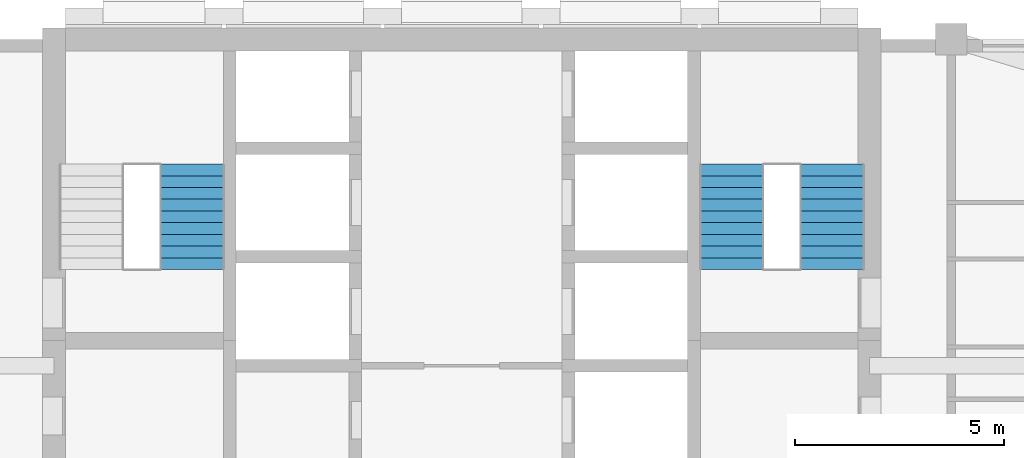
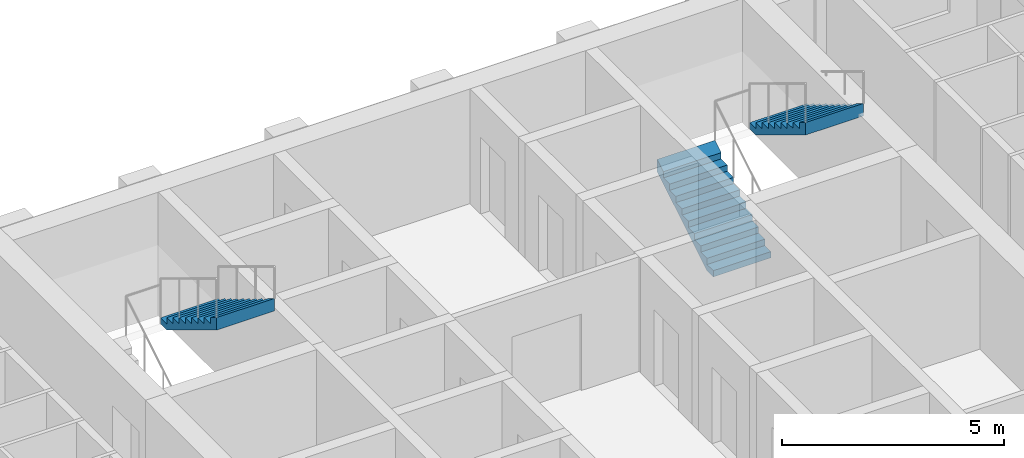
# One storey, part 11 of 13: 3 stair flights, 2 elements without a shape of their own.
"""IFC4 building model written with IfcOpenShell, lengths in metres."""

from ifc_helpers import new_model, si_unit, direction, frame, origin, place, context, subcontext, project, spatial, triangles, material, type_object, element, aggregate, save


model = new_model("IFC4")

# Units and contexts
model_context = context("Model", 3, precision=1e-05, world=origin(), true_north=direction((0.0, 1.0)))
body_context = subcontext(model_context, "Body", "Model", "MODEL_VIEW")
ifc_project = project(units=[si_unit("LENGTHUNIT", "METRE"), si_unit("AREAUNIT", "SQUARE_METRE"), si_unit("VOLUMEUNIT", "CUBIC_METRE"), si_unit("PLANEANGLEUNIT", "RADIAN"), si_unit("MASSUNIT", "GRAM", prefix="KILO")], contexts=[model_context])

# Site, building, storey
site_placement = place(None, origin())
site = spatial("IfcSite", under=ifc_project, at=site_placement, CompositionType="ELEMENT")
building_placement = place(site_placement, origin())
building = spatial("IfcBuilding", under=site, at=building_placement, Name="Ludao Terraces", CompositionType="ELEMENT")
storey_placement = place(building_placement, frame((0.0, 0.0, 152.0)))
storey = spatial("IfcBuildingStorey", under=building, at=storey_placement, Name="L41", CompositionType="ELEMENT", Elevation=152.0)

# Stair, stair flight
ifc_material = material(Name="Concrete C40", Category="concrete")
stair_type = type_object("IfcStairType", Name="INT Stair", PredefinedType="HALF_TURN_STAIR", material=ifc_material)
stair_1_placement = place(storey_placement, origin())
stair_1 = element("IfcStair", 1, at=stair_1_placement, inside=storey, type_object=stair_type, Name="EXIT STAIR 1", PredefinedType="HALF_TURN_STAIR")
stair_flight_type = type_object("IfcStairFlightType", Name="INT Stair flight", PredefinedType="STRAIGHT", material=ifc_material)
stair_flight_1_placement = place(storey_placement, frame((78.550048828125, 81.52001953125, 1.699951171875), z_axis=(0.0, 0.0, 1.0), x_axis=(0.0, -1.0, 0.0)))
stair_flight_1 = element("IfcStairFlight", 2, at=stair_flight_1_placement, type_object=stair_flight_type, Name="ST1 flight 2", NumberOfRisers=10, NumberOfTreads=9, PredefinedType="STRAIGHT", RiserHeight=0.17, TreadLength=0.28, context=body_context, shape_type="Tessellation", body=[
    triangles([(0.0, -0.75, 0.0), (0.0, -0.5, 0.0), (0.0, -0.25, 0.0), (0.0, 0.0, 0.0), (0.0, 0.25, 0.0), (0.0, 0.5, 0.0), (0.0, 0.75, 0.0), (0.0, -0.75, 0.169921875), (0.0, -0.5, 0.169921875), (0.0, -0.25, 0.169921875), (0.0, 0.0, 0.169921875), (0.0, 0.25, 0.169921875), (0.0, 0.5, 0.169921875), (0.0, 0.75, 0.169921875), (0.280029296875, -0.75, 0.169921875), (0.280029296875, -0.5, 0.169921875), (0.280029296875, -0.25, 0.169921875), (0.280029296875, 0.0, 0.169921875), (0.280029296875, 0.25, 0.169921875), (0.280029296875, 0.5, 0.169921875), (0.280029296875, 0.75, 0.169921875), (0.280029296875, -0.75, 0.340087890625), (0.280029296875, -0.5, 0.340087890625), (0.280029296875, -0.25, 0.340087890625), (0.280029296875, 0.0, 0.340087890625), (0.280029296875, 0.25, 0.340087890625), (0.280029296875, 0.5, 0.340087890625), (0.280029296875, 0.75, 0.340087890625), (0.56005859375, -0.75, 0.340087890625), (0.56005859375, -0.5, 0.340087890625), (0.56005859375, -0.25, 0.340087890625), (0.56005859375, 0.0, 0.340087890625), (0.56005859375, 0.25, 0.340087890625), (0.56005859375, 0.5, 0.340087890625), (0.56005859375, 0.75, 0.340087890625), (0.56005859375, -0.75, 0.510009765625), (0.56005859375, -0.5, 0.510009765625), (0.56005859375, -0.25, 0.510009765625), (0.56005859375, 0.0, 0.510009765625), (0.56005859375, 0.25, 0.510009765625), (0.56005859375, 0.5, 0.510009765625), (0.56005859375, 0.75, 0.510009765625), (0.840087890625, -0.75, 0.510009765625), (0.840087890625, -0.5, 0.510009765625), (0.840087890625, -0.25, 0.510009765625), (0.840087890625, 0.0, 0.510009765625), (0.840087890625, 0.25, 0.510009765625), (0.840087890625, 0.5, 0.510009765625), (0.840087890625, 0.75, 0.510009765625), (0.840087890625, -0.75, 0.679931640625), (0.840087890625, -0.5, 0.679931640625), (0.840087890625, -0.25, 0.679931640625), (0.840087890625, 0.0, 0.679931640625), (0.840087890625, 0.25, 0.679931640625), (0.840087890625, 0.5, 0.679931640625), (0.840087890625, 0.75, 0.679931640625), (1.1201171875, -0.75, 0.679931640625), (1.1201171875, -0.5, 0.679931640625), (1.1201171875, -0.25, 0.679931640625), (1.1201171875, 0.0, 0.679931640625), (1.1201171875, 0.25, 0.679931640625), (1.1201171875, 0.5, 0.679931640625), (1.1201171875, 0.75, 0.679931640625), (1.1201171875, -0.75, 0.85009765625), (1.1201171875, -0.5, 0.85009765625), (1.1201171875, -0.25, 0.85009765625), (1.1201171875, 0.0, 0.85009765625), (1.1201171875, 0.25, 0.85009765625), (1.1201171875, 0.5, 0.85009765625), (1.1201171875, 0.75, 0.85009765625), (1.39990234375, -0.75, 0.85009765625), (1.39990234375, -0.5, 0.85009765625), (1.39990234375, -0.25, 0.85009765625), (1.39990234375, 0.0, 0.85009765625), (1.39990234375, 0.25, 0.85009765625), (1.39990234375, 0.5, 0.85009765625), (1.39990234375, 0.75, 0.85009765625), (1.39990234375, -0.75, 1.02001953125), (1.39990234375, -0.5, 1.02001953125), (1.39990234375, -0.25, 1.02001953125), (1.39990234375, 0.0, 1.02001953125), (1.39990234375, 0.25, 1.02001953125), (1.39990234375, 0.5, 1.02001953125), (1.39990234375, 0.75, 1.02001953125), (1.679931640625, -0.75, 1.02001953125), (1.679931640625, -0.5, 1.02001953125), (1.679931640625, -0.25, 1.02001953125), (1.679931640625, 0.0, 1.02001953125), (1.679931640625, 0.25, 1.02001953125), (1.679931640625, 0.5, 1.02001953125), (1.679931640625, 0.75, 1.02001953125), (1.679931640625, -0.75, 1.18994140625), (1.679931640625, -0.5, 1.18994140625), (1.679931640625, -0.25, 1.18994140625), (1.679931640625, 0.0, 1.18994140625), (1.679931640625, 0.25, 1.18994140625), (1.679931640625, 0.5, 1.18994140625), (1.679931640625, 0.75, 1.18994140625), (1.9599609375, -0.75, 1.18994140625), (1.9599609375, -0.5, 1.18994140625), (1.9599609375, -0.25, 1.18994140625), (1.9599609375, 0.0, 1.18994140625), (1.9599609375, 0.25, 1.18994140625), (1.9599609375, 0.5, 1.18994140625), (1.9599609375, 0.75, 1.18994140625), (1.9599609375, -0.75, 1.360107421875), (1.9599609375, -0.5, 1.360107421875), (1.9599609375, -0.25, 1.360107421875), (1.9599609375, 0.0, 1.360107421875), (1.9599609375, 0.25, 1.360107421875), (1.9599609375, 0.5, 1.360107421875), (1.9599609375, 0.75, 1.360107421875), (2.239990234375, -0.75, 1.360107421875), (2.239990234375, -0.5, 1.360107421875), (2.239990234375, -0.25, 1.360107421875), (2.239990234375, 0.0, 1.360107421875), (2.239990234375, 0.25, 1.360107421875), (2.239990234375, 0.5, 1.360107421875), (2.239990234375, 0.75, 1.360107421875), (2.239990234375, -0.75, 1.530029296875), (2.239990234375, -0.5, 1.530029296875), (2.239990234375, -0.25, 1.530029296875), (2.239990234375, 0.0, 1.530029296875), (2.239990234375, 0.25, 1.530029296875), (2.239990234375, 0.5, 1.530029296875), (2.239990234375, 0.75, 1.530029296875), (2.52001953125, -0.75, 1.699951171875), (2.52001953125, -0.5, 1.699951171875), (2.52001953125, -0.25, 1.699951171875), (2.52001953125, 0.0, 1.699951171875), (2.52001953125, 0.25, 1.699951171875), (2.52001953125, 0.5, 1.699951171875), (2.52001953125, 0.75, 1.699951171875), (2.52001953125, -0.75, 1.354736328125), (2.52001953125, -0.5, 1.354736328125), (2.52001953125, -0.25, 1.354736328125), (2.52001953125, 0.0, 1.354736328125), (2.52001953125, 0.25, 1.354736328125), (2.52001953125, 0.5, 1.354736328125), (2.52001953125, 0.75, 1.354736328125), (0.288818359375, -0.75, 0.0), (0.288818359375, -0.5, 0.0), (0.288818359375, -0.25, 0.0), (0.288818359375, 0.0, 0.0), (0.288818359375, 0.25, 0.0), (0.288818359375, 0.5, 0.0), (0.288818359375, 0.75, 0.0)], [[1, 141, 134], [7, 140, 147], [134, 127, 120], [140, 126, 133], [134, 120, 113], [140, 119, 126], [134, 113, 106], [140, 112, 119], [134, 106, 99], [140, 105, 112], [99, 92, 85], [105, 91, 98], [134, 99, 85], [140, 91, 105], [85, 78, 71], [91, 77, 84], [134, 85, 71], [140, 77, 91], [71, 64, 57], [77, 63, 70], [134, 71, 57], [140, 63, 77], [57, 50, 43], [63, 49, 56], [134, 57, 43], [140, 49, 63], [43, 36, 29], [49, 35, 42], [134, 43, 29], [140, 35, 49], [29, 22, 15], [35, 21, 28], [134, 29, 15], [140, 21, 35], [1, 134, 15], [7, 21, 140], [15, 8, 1], [21, 7, 14], [1, 9, 2], [1, 8, 9], [2, 10, 3], [2, 9, 10], [3, 11, 4], [3, 10, 11], [4, 12, 5], [4, 11, 12], [5, 13, 6], [5, 12, 13], [6, 14, 7], [6, 13, 14], [8, 16, 9], [8, 15, 16], [9, 17, 10], [9, 16, 17], [10, 18, 11], [10, 17, 18], [11, 19, 12], [11, 18, 19], [12, 20, 13], [12, 19, 20], [13, 21, 14], [13, 20, 21], [15, 23, 16], [15, 22, 23], [16, 24, 17], [16, 23, 24], [17, 25, 18], [17, 24, 25], [18, 26, 19], [18, 25, 26], [19, 27, 20], [19, 26, 27], [20, 28, 21], [20, 27, 28], [22, 30, 23], [22, 29, 30], [23, 31, 24], [23, 30, 31], [24, 32, 25], [24, 31, 32], [25, 33, 26], [25, 32, 33], [26, 34, 27], [26, 33, 34], [27, 35, 28], [27, 34, 35], [29, 37, 30], [29, 36, 37], [30, 38, 31], [30, 37, 38], [31, 39, 32], [31, 38, 39], [32, 40, 33], [32, 39, 40], [33, 41, 34], [33, 40, 41], [34, 42, 35], [34, 41, 42], [36, 44, 37], [36, 43, 44], [37, 45, 38], [37, 44, 45], [38, 46, 39], [38, 45, 46], [39, 47, 40], [39, 46, 47], [40, 48, 41], [40, 47, 48], [41, 49, 42], [41, 48, 49], [43, 51, 44], [43, 50, 51], [44, 52, 45], [44, 51, 52], [45, 53, 46], [45, 52, 53], [46, 54, 47], [46, 53, 54], [47, 55, 48], [47, 54, 55], [48, 56, 49], [48, 55, 56], [50, 58, 51], [50, 57, 58], [51, 59, 52], [51, 58, 59], [52, 60, 53], [52, 59, 60], [53, 61, 54], [53, 60, 61], [54, 62, 55], [54, 61, 62], [55, 63, 56], [55, 62, 63], [57, 65, 58], [57, 64, 65], [58, 66, 59], [58, 65, 66], [59, 67, 60], [59, 66, 67], [60, 68, 61], [60, 67, 68], [61, 69, 62], [61, 68, 69], [62, 70, 63], [62, 69, 70], [64, 72, 65], [64, 71, 72], [65, 73, 66], [65, 72, 73], [66, 74, 67], [66, 73, 74], [67, 75, 68], [67, 74, 75], [68, 76, 69], [68, 75, 76], [69, 77, 70], [69, 76, 77], [71, 79, 72], [71, 78, 79], [72, 80, 73], [72, 79, 80], [73, 81, 74], [73, 80, 81], [74, 82, 75], [74, 81, 82], [75, 83, 76], [75, 82, 83], [76, 84, 77], [76, 83, 84], [78, 86, 79], [78, 85, 86], [79, 87, 80], [79, 86, 87], [80, 88, 81], [80, 87, 88], [81, 89, 82], [81, 88, 89], [82, 90, 83], [82, 89, 90], [83, 91, 84], [83, 90, 91], [85, 93, 86], [85, 92, 93], [86, 94, 87], [86, 93, 94], [87, 95, 88], [87, 94, 95], [88, 96, 89], [88, 95, 96], [89, 97, 90], [89, 96, 97], [90, 98, 91], [90, 97, 98], [92, 100, 93], [92, 99, 100], [93, 101, 94], [93, 100, 101], [94, 102, 95], [94, 101, 102], [95, 103, 96], [95, 102, 103], [96, 104, 97], [96, 103, 104], [97, 105, 98], [97, 104, 105], [99, 107, 100], [99, 106, 107], [100, 108, 101], [100, 107, 108], [101, 109, 102], [101, 108, 109], [102, 110, 103], [102, 109, 110], [103, 111, 104], [103, 110, 111], [104, 112, 105], [104, 111, 112], [106, 114, 107], [106, 113, 114], [107, 115, 108], [107, 114, 115], [108, 116, 109], [108, 115, 116], [109, 117, 110], [109, 116, 117], [110, 118, 111], [110, 117, 118], [111, 119, 112], [111, 118, 119], [113, 121, 114], [113, 120, 121], [114, 122, 115], [114, 121, 122], [115, 123, 116], [115, 122, 123], [116, 124, 117], [116, 123, 124], [117, 125, 118], [117, 124, 125], [118, 126, 119], [118, 125, 126], [120, 128, 121], [120, 127, 128], [121, 129, 122], [121, 128, 129], [122, 130, 123], [122, 129, 130], [123, 131, 124], [123, 130, 131], [124, 132, 125], [124, 131, 132], [125, 133, 126], [125, 132, 133], [127, 135, 128], [127, 134, 135], [128, 136, 129], [128, 135, 136], [129, 137, 130], [129, 136, 137], [130, 138, 131], [130, 137, 138], [131, 139, 132], [131, 138, 139], [132, 140, 133], [132, 139, 140], [134, 142, 135], [134, 141, 142], [135, 143, 136], [135, 142, 143], [136, 144, 137], [136, 143, 144], [137, 145, 138], [137, 144, 145], [138, 146, 139], [138, 145, 146], [139, 147, 140], [139, 146, 147], [141, 2, 142], [141, 1, 2], [142, 3, 143], [142, 2, 3], [143, 4, 144], [143, 3, 4], [144, 5, 145], [144, 4, 5], [145, 6, 146], [145, 5, 6], [146, 7, 147], [146, 6, 7]], closed=True),
])
aggregate(stair_1, [stair_flight_1])

# Stair, stair flights
stair_2_placement = place(storey_placement, origin())
stair_2 = element("IfcStair", 3, at=stair_2_placement, inside=storey, type_object=stair_type, Name="EXIT STAIR 2", PredefinedType="HALF_TURN_STAIR")
stair_flight_2_placement = place(storey_placement, frame((91.449951171875, 79.0, 0.0), z_axis=(0.0, 0.0, 1.0), x_axis=(0.0, 1.0, 0.0)))
stair_flight_2 = element("IfcStairFlight", 4, at=stair_flight_2_placement, type_object=stair_flight_type, Name="ST2 flight 1", NumberOfRisers=10, NumberOfTreads=9, PredefinedType="STRAIGHT", RiserHeight=0.17, TreadLength=0.28, context=body_context, shape_type="Tessellation", body=[
    triangles([(0.0, -0.75, 0.0), (0.0, -0.5, 0.0), (0.0, -0.25, 0.0), (0.0, 0.0, 0.0), (0.0, 0.25, 0.0), (0.0, 0.5, 0.0), (0.0, 0.75, 0.0), (0.0, -0.75, 0.169921875), (0.0, -0.5, 0.169921875), (0.0, -0.25, 0.169921875), (0.0, 0.0, 0.169921875), (0.0, 0.25, 0.169921875), (0.0, 0.5, 0.169921875), (0.0, 0.75, 0.169921875), (0.280029296875, -0.75, 0.169921875), (0.280029296875, -0.5, 0.169921875), (0.280029296875, -0.25, 0.169921875), (0.280029296875, 0.0, 0.169921875), (0.280029296875, 0.25, 0.169921875), (0.280029296875, 0.5, 0.169921875), (0.280029296875, 0.75, 0.169921875), (0.280029296875, -0.75, 0.340087890625), (0.280029296875, -0.5, 0.340087890625), (0.280029296875, -0.25, 0.340087890625), (0.280029296875, 0.0, 0.340087890625), (0.280029296875, 0.25, 0.340087890625), (0.280029296875, 0.5, 0.340087890625), (0.280029296875, 0.75, 0.340087890625), (0.56005859375, -0.75, 0.340087890625), (0.56005859375, -0.5, 0.340087890625), (0.56005859375, -0.25, 0.340087890625), (0.56005859375, 0.0, 0.340087890625), (0.56005859375, 0.25, 0.340087890625), (0.56005859375, 0.5, 0.340087890625), (0.56005859375, 0.75, 0.340087890625), (0.56005859375, -0.75, 0.510009765625), (0.56005859375, -0.5, 0.510009765625), (0.56005859375, -0.25, 0.510009765625), (0.56005859375, 0.0, 0.510009765625), (0.56005859375, 0.25, 0.510009765625), (0.56005859375, 0.5, 0.510009765625), (0.56005859375, 0.75, 0.510009765625), (0.840087890625, -0.75, 0.510009765625), (0.840087890625, -0.5, 0.510009765625), (0.840087890625, -0.25, 0.510009765625), (0.840087890625, 0.0, 0.510009765625), (0.840087890625, 0.25, 0.510009765625), (0.840087890625, 0.5, 0.510009765625), (0.840087890625, 0.75, 0.510009765625), (0.840087890625, -0.75, 0.679931640625), (0.840087890625, -0.5, 0.679931640625), (0.840087890625, -0.25, 0.679931640625), (0.840087890625, 0.0, 0.679931640625), (0.840087890625, 0.25, 0.679931640625), (0.840087890625, 0.5, 0.679931640625), (0.840087890625, 0.75, 0.679931640625), (1.1201171875, -0.75, 0.679931640625), (1.1201171875, -0.5, 0.679931640625), (1.1201171875, -0.25, 0.679931640625), (1.1201171875, 0.0, 0.679931640625), (1.1201171875, 0.25, 0.679931640625), (1.1201171875, 0.5, 0.679931640625), (1.1201171875, 0.75, 0.679931640625), (1.1201171875, -0.75, 0.85009765625), (1.1201171875, -0.5, 0.85009765625), (1.1201171875, -0.25, 0.85009765625), (1.1201171875, 0.0, 0.85009765625), (1.1201171875, 0.25, 0.85009765625), (1.1201171875, 0.5, 0.85009765625), (1.1201171875, 0.75, 0.85009765625), (1.39990234375, -0.75, 0.85009765625), (1.39990234375, -0.5, 0.85009765625), (1.39990234375, -0.25, 0.85009765625), (1.39990234375, 0.0, 0.85009765625), (1.39990234375, 0.25, 0.85009765625), (1.39990234375, 0.5, 0.85009765625), (1.39990234375, 0.75, 0.85009765625), (1.39990234375, -0.75, 1.02001953125), (1.39990234375, -0.5, 1.02001953125), (1.39990234375, -0.25, 1.02001953125), (1.39990234375, 0.0, 1.02001953125), (1.39990234375, 0.25, 1.02001953125), (1.39990234375, 0.5, 1.02001953125), (1.39990234375, 0.75, 1.02001953125), (1.679931640625, -0.75, 1.02001953125), (1.679931640625, -0.5, 1.02001953125), (1.679931640625, -0.25, 1.02001953125), (1.679931640625, 0.0, 1.02001953125), (1.679931640625, 0.25, 1.02001953125), (1.679931640625, 0.5, 1.02001953125), (1.679931640625, 0.75, 1.02001953125), (1.679931640625, -0.75, 1.18994140625), (1.679931640625, -0.5, 1.18994140625), (1.679931640625, -0.25, 1.18994140625), (1.679931640625, 0.0, 1.18994140625), (1.679931640625, 0.25, 1.18994140625), (1.679931640625, 0.5, 1.18994140625), (1.679931640625, 0.75, 1.18994140625), (1.9599609375, -0.75, 1.18994140625), (1.9599609375, -0.5, 1.18994140625), (1.9599609375, -0.25, 1.18994140625), (1.9599609375, 0.0, 1.18994140625), (1.9599609375, 0.25, 1.18994140625), (1.9599609375, 0.5, 1.18994140625), (1.9599609375, 0.75, 1.18994140625), (1.9599609375, -0.75, 1.360107421875), (1.9599609375, -0.5, 1.360107421875), (1.9599609375, -0.25, 1.360107421875), (1.9599609375, 0.0, 1.360107421875), (1.9599609375, 0.25, 1.360107421875), (1.9599609375, 0.5, 1.360107421875), (1.9599609375, 0.75, 1.360107421875), (2.239990234375, -0.75, 1.360107421875), (2.239990234375, -0.5, 1.360107421875), (2.239990234375, -0.25, 1.360107421875), (2.239990234375, 0.0, 1.360107421875), (2.239990234375, 0.25, 1.360107421875), (2.239990234375, 0.5, 1.360107421875), (2.239990234375, 0.75, 1.360107421875), (2.239990234375, -0.75, 1.530029296875), (2.239990234375, -0.5, 1.530029296875), (2.239990234375, -0.25, 1.530029296875), (2.239990234375, 0.0, 1.530029296875), (2.239990234375, 0.25, 1.530029296875), (2.239990234375, 0.5, 1.530029296875), (2.239990234375, 0.75, 1.530029296875), (2.52001953125, -0.75, 1.699951171875), (2.52001953125, -0.5, 1.699951171875), (2.52001953125, -0.25, 1.699951171875), (2.52001953125, 0.0, 1.699951171875), (2.52001953125, 0.25, 1.699951171875), (2.52001953125, 0.5, 1.699951171875), (2.52001953125, 0.75, 1.699951171875), (2.52001953125, -0.75, 1.354736328125), (2.52001953125, -0.5, 1.354736328125), (2.52001953125, -0.25, 1.354736328125), (2.52001953125, 0.0, 1.354736328125), (2.52001953125, 0.25, 1.354736328125), (2.52001953125, 0.5, 1.354736328125), (2.52001953125, 0.75, 1.354736328125), (0.288818359375, -0.75, 0.0), (0.288818359375, -0.5, 0.0), (0.288818359375, -0.25, 0.0), (0.288818359375, 0.0, 0.0), (0.288818359375, 0.25, 0.0), (0.288818359375, 0.5, 0.0), (0.288818359375, 0.75, 0.0)], [[1, 141, 134], [7, 140, 147], [134, 127, 120], [140, 126, 133], [134, 120, 113], [140, 119, 126], [134, 113, 106], [140, 112, 119], [134, 106, 99], [140, 105, 112], [99, 92, 85], [105, 91, 98], [134, 99, 85], [140, 91, 105], [85, 78, 71], [91, 77, 84], [134, 85, 71], [140, 77, 91], [71, 64, 57], [77, 63, 70], [134, 71, 57], [140, 63, 77], [57, 50, 43], [63, 49, 56], [134, 57, 43], [140, 49, 63], [43, 36, 29], [49, 35, 42], [134, 43, 29], [140, 35, 49], [29, 22, 15], [35, 21, 28], [134, 29, 15], [140, 21, 35], [1, 134, 15], [7, 21, 140], [15, 8, 1], [21, 7, 14], [1, 9, 2], [1, 8, 9], [2, 10, 3], [2, 9, 10], [3, 11, 4], [3, 10, 11], [4, 12, 5], [4, 11, 12], [5, 13, 6], [5, 12, 13], [6, 14, 7], [6, 13, 14], [8, 16, 9], [8, 15, 16], [9, 17, 10], [9, 16, 17], [10, 18, 11], [10, 17, 18], [11, 19, 12], [11, 18, 19], [12, 20, 13], [12, 19, 20], [13, 21, 14], [13, 20, 21], [15, 23, 16], [15, 22, 23], [16, 24, 17], [16, 23, 24], [17, 25, 18], [17, 24, 25], [18, 26, 19], [18, 25, 26], [19, 27, 20], [19, 26, 27], [20, 28, 21], [20, 27, 28], [22, 30, 23], [22, 29, 30], [23, 31, 24], [23, 30, 31], [24, 32, 25], [24, 31, 32], [25, 33, 26], [25, 32, 33], [26, 34, 27], [26, 33, 34], [27, 35, 28], [27, 34, 35], [29, 37, 30], [29, 36, 37], [30, 38, 31], [30, 37, 38], [31, 39, 32], [31, 38, 39], [32, 40, 33], [32, 39, 40], [33, 41, 34], [33, 40, 41], [34, 42, 35], [34, 41, 42], [36, 44, 37], [36, 43, 44], [37, 45, 38], [37, 44, 45], [38, 46, 39], [38, 45, 46], [39, 47, 40], [39, 46, 47], [40, 48, 41], [40, 47, 48], [41, 49, 42], [41, 48, 49], [43, 51, 44], [43, 50, 51], [44, 52, 45], [44, 51, 52], [45, 53, 46], [45, 52, 53], [46, 54, 47], [46, 53, 54], [47, 55, 48], [47, 54, 55], [48, 56, 49], [48, 55, 56], [50, 58, 51], [50, 57, 58], [51, 59, 52], [51, 58, 59], [52, 60, 53], [52, 59, 60], [53, 61, 54], [53, 60, 61], [54, 62, 55], [54, 61, 62], [55, 63, 56], [55, 62, 63], [57, 65, 58], [57, 64, 65], [58, 66, 59], [58, 65, 66], [59, 67, 60], [59, 66, 67], [60, 68, 61], [60, 67, 68], [61, 69, 62], [61, 68, 69], [62, 70, 63], [62, 69, 70], [64, 72, 65], [64, 71, 72], [65, 73, 66], [65, 72, 73], [66, 74, 67], [66, 73, 74], [67, 75, 68], [67, 74, 75], [68, 76, 69], [68, 75, 76], [69, 77, 70], [69, 76, 77], [71, 79, 72], [71, 78, 79], [72, 80, 73], [72, 79, 80], [73, 81, 74], [73, 80, 81], [74, 82, 75], [74, 81, 82], [75, 83, 76], [75, 82, 83], [76, 84, 77], [76, 83, 84], [78, 86, 79], [78, 85, 86], [79, 87, 80], [79, 86, 87], [80, 88, 81], [80, 87, 88], [81, 89, 82], [81, 88, 89], [82, 90, 83], [82, 89, 90], [83, 91, 84], [83, 90, 91], [85, 93, 86], [85, 92, 93], [86, 94, 87], [86, 93, 94], [87, 95, 88], [87, 94, 95], [88, 96, 89], [88, 95, 96], [89, 97, 90], [89, 96, 97], [90, 98, 91], [90, 97, 98], [92, 100, 93], [92, 99, 100], [93, 101, 94], [93, 100, 101], [94, 102, 95], [94, 101, 102], [95, 103, 96], [95, 102, 103], [96, 104, 97], [96, 103, 104], [97, 105, 98], [97, 104, 105], [99, 107, 100], [99, 106, 107], [100, 108, 101], [100, 107, 108], [101, 109, 102], [101, 108, 109], [102, 110, 103], [102, 109, 110], [103, 111, 104], [103, 110, 111], [104, 112, 105], [104, 111, 112], [106, 114, 107], [106, 113, 114], [107, 115, 108], [107, 114, 115], [108, 116, 109], [108, 115, 116], [109, 117, 110], [109, 116, 117], [110, 118, 111], [110, 117, 118], [111, 119, 112], [111, 118, 119], [113, 121, 114], [113, 120, 121], [114, 122, 115], [114, 121, 122], [115, 123, 116], [115, 122, 123], [116, 124, 117], [116, 123, 124], [117, 125, 118], [117, 124, 125], [118, 126, 119], [118, 125, 126], [120, 128, 121], [120, 127, 128], [121, 129, 122], [121, 128, 129], [122, 130, 123], [122, 129, 130], [123, 131, 124], [123, 130, 131], [124, 132, 125], [124, 131, 132], [125, 133, 126], [125, 132, 133], [127, 135, 128], [127, 134, 135], [128, 136, 129], [128, 135, 136], [129, 137, 130], [129, 136, 137], [130, 138, 131], [130, 137, 138], [131, 139, 132], [131, 138, 139], [132, 140, 133], [132, 139, 140], [134, 142, 135], [134, 141, 142], [135, 143, 136], [135, 142, 143], [136, 144, 137], [136, 143, 144], [137, 145, 138], [137, 144, 145], [138, 146, 139], [138, 145, 146], [139, 147, 140], [139, 146, 147], [141, 2, 142], [141, 1, 2], [142, 3, 143], [142, 2, 3], [143, 4, 144], [143, 3, 4], [144, 5, 145], [144, 4, 5], [145, 6, 146], [145, 5, 6], [146, 7, 147], [146, 6, 7]], closed=True),
])
stair_flight_3_placement = place(storey_placement, frame((93.85009765625, 81.52001953125, 1.699951171875), z_axis=(0.0, 0.0, 1.0), x_axis=(0.0, -1.0, 0.0)))
stair_flight_3 = element("IfcStairFlight", 5, at=stair_flight_3_placement, type_object=stair_flight_type, Name="ST2 flight 2", NumberOfRisers=10, NumberOfTreads=9, PredefinedType="STRAIGHT", RiserHeight=0.17, TreadLength=0.28, context=body_context, shape_type="Tessellation", body=[
    triangles([(0.0, -0.75, 0.0), (0.0, -0.5, 0.0), (0.0, -0.25, 0.0), (0.0, 0.0, 0.0), (0.0, 0.25, 0.0), (0.0, 0.5, 0.0), (0.0, 0.75, 0.0), (0.0, -0.75, 0.169921875), (0.0, -0.5, 0.169921875), (0.0, -0.25, 0.169921875), (0.0, 0.0, 0.169921875), (0.0, 0.25, 0.169921875), (0.0, 0.5, 0.169921875), (0.0, 0.75, 0.169921875), (0.280029296875, -0.75, 0.169921875), (0.280029296875, -0.5, 0.169921875), (0.280029296875, -0.25, 0.169921875), (0.280029296875, 0.0, 0.169921875), (0.280029296875, 0.25, 0.169921875), (0.280029296875, 0.5, 0.169921875), (0.280029296875, 0.75, 0.169921875), (0.280029296875, -0.75, 0.340087890625), (0.280029296875, -0.5, 0.340087890625), (0.280029296875, -0.25, 0.340087890625), (0.280029296875, 0.0, 0.340087890625), (0.280029296875, 0.25, 0.340087890625), (0.280029296875, 0.5, 0.340087890625), (0.280029296875, 0.75, 0.340087890625), (0.56005859375, -0.75, 0.340087890625), (0.56005859375, -0.5, 0.340087890625), (0.56005859375, -0.25, 0.340087890625), (0.56005859375, 0.0, 0.340087890625), (0.56005859375, 0.25, 0.340087890625), (0.56005859375, 0.5, 0.340087890625), (0.56005859375, 0.75, 0.340087890625), (0.56005859375, -0.75, 0.510009765625), (0.56005859375, -0.5, 0.510009765625), (0.56005859375, -0.25, 0.510009765625), (0.56005859375, 0.0, 0.510009765625), (0.56005859375, 0.25, 0.510009765625), (0.56005859375, 0.5, 0.510009765625), (0.56005859375, 0.75, 0.510009765625), (0.840087890625, -0.75, 0.510009765625), (0.840087890625, -0.5, 0.510009765625), (0.840087890625, -0.25, 0.510009765625), (0.840087890625, 0.0, 0.510009765625), (0.840087890625, 0.25, 0.510009765625), (0.840087890625, 0.5, 0.510009765625), (0.840087890625, 0.75, 0.510009765625), (0.840087890625, -0.75, 0.679931640625), (0.840087890625, -0.5, 0.679931640625), (0.840087890625, -0.25, 0.679931640625), (0.840087890625, 0.0, 0.679931640625), (0.840087890625, 0.25, 0.679931640625), (0.840087890625, 0.5, 0.679931640625), (0.840087890625, 0.75, 0.679931640625), (1.1201171875, -0.75, 0.679931640625), (1.1201171875, -0.5, 0.679931640625), (1.1201171875, -0.25, 0.679931640625), (1.1201171875, 0.0, 0.679931640625), (1.1201171875, 0.25, 0.679931640625), (1.1201171875, 0.5, 0.679931640625), (1.1201171875, 0.75, 0.679931640625), (1.1201171875, -0.75, 0.85009765625), (1.1201171875, -0.5, 0.85009765625), (1.1201171875, -0.25, 0.85009765625), (1.1201171875, 0.0, 0.85009765625), (1.1201171875, 0.25, 0.85009765625), (1.1201171875, 0.5, 0.85009765625), (1.1201171875, 0.75, 0.85009765625), (1.39990234375, -0.75, 0.85009765625), (1.39990234375, -0.5, 0.85009765625), (1.39990234375, -0.25, 0.85009765625), (1.39990234375, 0.0, 0.85009765625), (1.39990234375, 0.25, 0.85009765625), (1.39990234375, 0.5, 0.85009765625), (1.39990234375, 0.75, 0.85009765625), (1.39990234375, -0.75, 1.02001953125), (1.39990234375, -0.5, 1.02001953125), (1.39990234375, -0.25, 1.02001953125), (1.39990234375, 0.0, 1.02001953125), (1.39990234375, 0.25, 1.02001953125), (1.39990234375, 0.5, 1.02001953125), (1.39990234375, 0.75, 1.02001953125), (1.679931640625, -0.75, 1.02001953125), (1.679931640625, -0.5, 1.02001953125), (1.679931640625, -0.25, 1.02001953125), (1.679931640625, 0.0, 1.02001953125), (1.679931640625, 0.25, 1.02001953125), (1.679931640625, 0.5, 1.02001953125), (1.679931640625, 0.75, 1.02001953125), (1.679931640625, -0.75, 1.18994140625), (1.679931640625, -0.5, 1.18994140625), (1.679931640625, -0.25, 1.18994140625), (1.679931640625, 0.0, 1.18994140625), (1.679931640625, 0.25, 1.18994140625), (1.679931640625, 0.5, 1.18994140625), (1.679931640625, 0.75, 1.18994140625), (1.9599609375, -0.75, 1.18994140625), (1.9599609375, -0.5, 1.18994140625), (1.9599609375, -0.25, 1.18994140625), (1.9599609375, 0.0, 1.18994140625), (1.9599609375, 0.25, 1.18994140625), (1.9599609375, 0.5, 1.18994140625), (1.9599609375, 0.75, 1.18994140625), (1.9599609375, -0.75, 1.360107421875), (1.9599609375, -0.5, 1.360107421875), (1.9599609375, -0.25, 1.360107421875), (1.9599609375, 0.0, 1.360107421875), (1.9599609375, 0.25, 1.360107421875), (1.9599609375, 0.5, 1.360107421875), (1.9599609375, 0.75, 1.360107421875), (2.239990234375, -0.75, 1.360107421875), (2.239990234375, -0.5, 1.360107421875), (2.239990234375, -0.25, 1.360107421875), (2.239990234375, 0.0, 1.360107421875), (2.239990234375, 0.25, 1.360107421875), (2.239990234375, 0.5, 1.360107421875), (2.239990234375, 0.75, 1.360107421875), (2.239990234375, -0.75, 1.530029296875), (2.239990234375, -0.5, 1.530029296875), (2.239990234375, -0.25, 1.530029296875), (2.239990234375, 0.0, 1.530029296875), (2.239990234375, 0.25, 1.530029296875), (2.239990234375, 0.5, 1.530029296875), (2.239990234375, 0.75, 1.530029296875), (2.52001953125, -0.75, 1.699951171875), (2.52001953125, -0.5, 1.699951171875), (2.52001953125, -0.25, 1.699951171875), (2.52001953125, 0.0, 1.699951171875), (2.52001953125, 0.25, 1.699951171875), (2.52001953125, 0.5, 1.699951171875), (2.52001953125, 0.75, 1.699951171875), (2.52001953125, -0.75, 1.354736328125), (2.52001953125, -0.5, 1.354736328125), (2.52001953125, -0.25, 1.354736328125), (2.52001953125, 0.0, 1.354736328125), (2.52001953125, 0.25, 1.354736328125), (2.52001953125, 0.5, 1.354736328125), (2.52001953125, 0.75, 1.354736328125), (0.288818359375, -0.75, 0.0), (0.288818359375, -0.5, 0.0), (0.288818359375, -0.25, 0.0), (0.288818359375, 0.0, 0.0), (0.288818359375, 0.25, 0.0), (0.288818359375, 0.5, 0.0), (0.288818359375, 0.75, 0.0)], [[1, 141, 134], [7, 140, 147], [134, 127, 120], [140, 126, 133], [134, 120, 113], [140, 119, 126], [134, 113, 106], [140, 112, 119], [134, 106, 99], [140, 105, 112], [99, 92, 85], [105, 91, 98], [134, 99, 85], [140, 91, 105], [85, 78, 71], [91, 77, 84], [134, 85, 71], [140, 77, 91], [71, 64, 57], [77, 63, 70], [134, 71, 57], [140, 63, 77], [57, 50, 43], [63, 49, 56], [134, 57, 43], [140, 49, 63], [43, 36, 29], [49, 35, 42], [134, 43, 29], [140, 35, 49], [29, 22, 15], [35, 21, 28], [134, 29, 15], [140, 21, 35], [1, 134, 15], [7, 21, 140], [15, 8, 1], [21, 7, 14], [1, 9, 2], [1, 8, 9], [2, 10, 3], [2, 9, 10], [3, 11, 4], [3, 10, 11], [4, 12, 5], [4, 11, 12], [5, 13, 6], [5, 12, 13], [6, 14, 7], [6, 13, 14], [8, 16, 9], [8, 15, 16], [9, 17, 10], [9, 16, 17], [10, 18, 11], [10, 17, 18], [11, 19, 12], [11, 18, 19], [12, 20, 13], [12, 19, 20], [13, 21, 14], [13, 20, 21], [15, 23, 16], [15, 22, 23], [16, 24, 17], [16, 23, 24], [17, 25, 18], [17, 24, 25], [18, 26, 19], [18, 25, 26], [19, 27, 20], [19, 26, 27], [20, 28, 21], [20, 27, 28], [22, 30, 23], [22, 29, 30], [23, 31, 24], [23, 30, 31], [24, 32, 25], [24, 31, 32], [25, 33, 26], [25, 32, 33], [26, 34, 27], [26, 33, 34], [27, 35, 28], [27, 34, 35], [29, 37, 30], [29, 36, 37], [30, 38, 31], [30, 37, 38], [31, 39, 32], [31, 38, 39], [32, 40, 33], [32, 39, 40], [33, 41, 34], [33, 40, 41], [34, 42, 35], [34, 41, 42], [36, 44, 37], [36, 43, 44], [37, 45, 38], [37, 44, 45], [38, 46, 39], [38, 45, 46], [39, 47, 40], [39, 46, 47], [40, 48, 41], [40, 47, 48], [41, 49, 42], [41, 48, 49], [43, 51, 44], [43, 50, 51], [44, 52, 45], [44, 51, 52], [45, 53, 46], [45, 52, 53], [46, 54, 47], [46, 53, 54], [47, 55, 48], [47, 54, 55], [48, 56, 49], [48, 55, 56], [50, 58, 51], [50, 57, 58], [51, 59, 52], [51, 58, 59], [52, 60, 53], [52, 59, 60], [53, 61, 54], [53, 60, 61], [54, 62, 55], [54, 61, 62], [55, 63, 56], [55, 62, 63], [57, 65, 58], [57, 64, 65], [58, 66, 59], [58, 65, 66], [59, 67, 60], [59, 66, 67], [60, 68, 61], [60, 67, 68], [61, 69, 62], [61, 68, 69], [62, 70, 63], [62, 69, 70], [64, 72, 65], [64, 71, 72], [65, 73, 66], [65, 72, 73], [66, 74, 67], [66, 73, 74], [67, 75, 68], [67, 74, 75], [68, 76, 69], [68, 75, 76], [69, 77, 70], [69, 76, 77], [71, 79, 72], [71, 78, 79], [72, 80, 73], [72, 79, 80], [73, 81, 74], [73, 80, 81], [74, 82, 75], [74, 81, 82], [75, 83, 76], [75, 82, 83], [76, 84, 77], [76, 83, 84], [78, 86, 79], [78, 85, 86], [79, 87, 80], [79, 86, 87], [80, 88, 81], [80, 87, 88], [81, 89, 82], [81, 88, 89], [82, 90, 83], [82, 89, 90], [83, 91, 84], [83, 90, 91], [85, 93, 86], [85, 92, 93], [86, 94, 87], [86, 93, 94], [87, 95, 88], [87, 94, 95], [88, 96, 89], [88, 95, 96], [89, 97, 90], [89, 96, 97], [90, 98, 91], [90, 97, 98], [92, 100, 93], [92, 99, 100], [93, 101, 94], [93, 100, 101], [94, 102, 95], [94, 101, 102], [95, 103, 96], [95, 102, 103], [96, 104, 97], [96, 103, 104], [97, 105, 98], [97, 104, 105], [99, 107, 100], [99, 106, 107], [100, 108, 101], [100, 107, 108], [101, 109, 102], [101, 108, 109], [102, 110, 103], [102, 109, 110], [103, 111, 104], [103, 110, 111], [104, 112, 105], [104, 111, 112], [106, 114, 107], [106, 113, 114], [107, 115, 108], [107, 114, 115], [108, 116, 109], [108, 115, 116], [109, 117, 110], [109, 116, 117], [110, 118, 111], [110, 117, 118], [111, 119, 112], [111, 118, 119], [113, 121, 114], [113, 120, 121], [114, 122, 115], [114, 121, 122], [115, 123, 116], [115, 122, 123], [116, 124, 117], [116, 123, 124], [117, 125, 118], [117, 124, 125], [118, 126, 119], [118, 125, 126], [120, 128, 121], [120, 127, 128], [121, 129, 122], [121, 128, 129], [122, 130, 123], [122, 129, 130], [123, 131, 124], [123, 130, 131], [124, 132, 125], [124, 131, 132], [125, 133, 126], [125, 132, 133], [127, 135, 128], [127, 134, 135], [128, 136, 129], [128, 135, 136], [129, 137, 130], [129, 136, 137], [130, 138, 131], [130, 137, 138], [131, 139, 132], [131, 138, 139], [132, 140, 133], [132, 139, 140], [134, 142, 135], [134, 141, 142], [135, 143, 136], [135, 142, 143], [136, 144, 137], [136, 143, 144], [137, 145, 138], [137, 144, 145], [138, 146, 139], [138, 145, 146], [139, 147, 140], [139, 146, 147], [141, 2, 142], [141, 1, 2], [142, 3, 143], [142, 2, 3], [143, 4, 144], [143, 3, 4], [144, 5, 145], [144, 4, 5], [145, 6, 146], [145, 5, 6], [146, 7, 147], [146, 6, 7]], closed=True),
])
aggregate(stair_2, [stair_flight_2, stair_flight_3])

save(model, "model.ifc")
